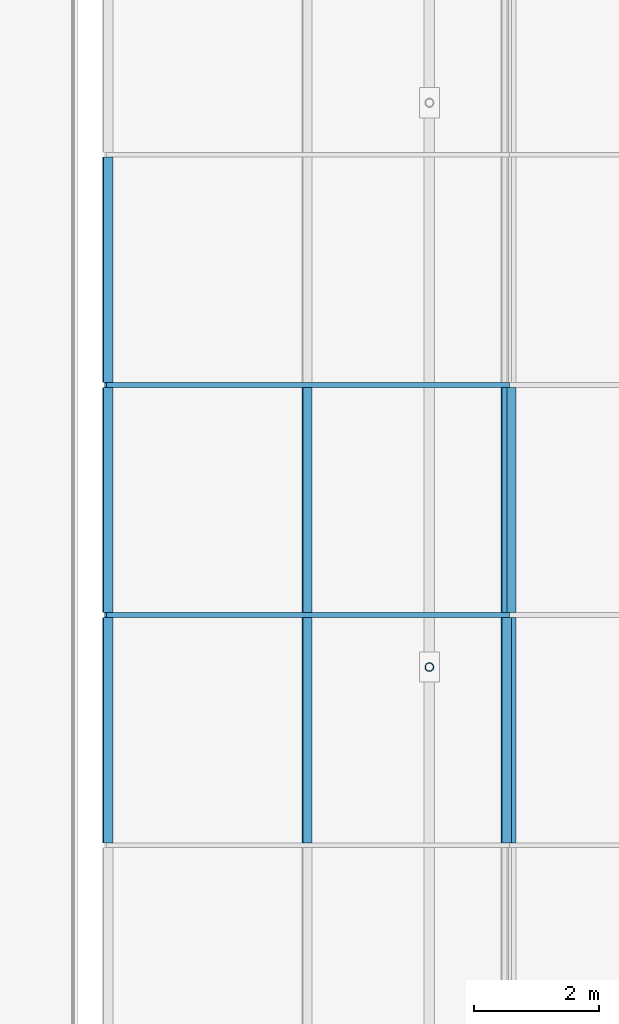
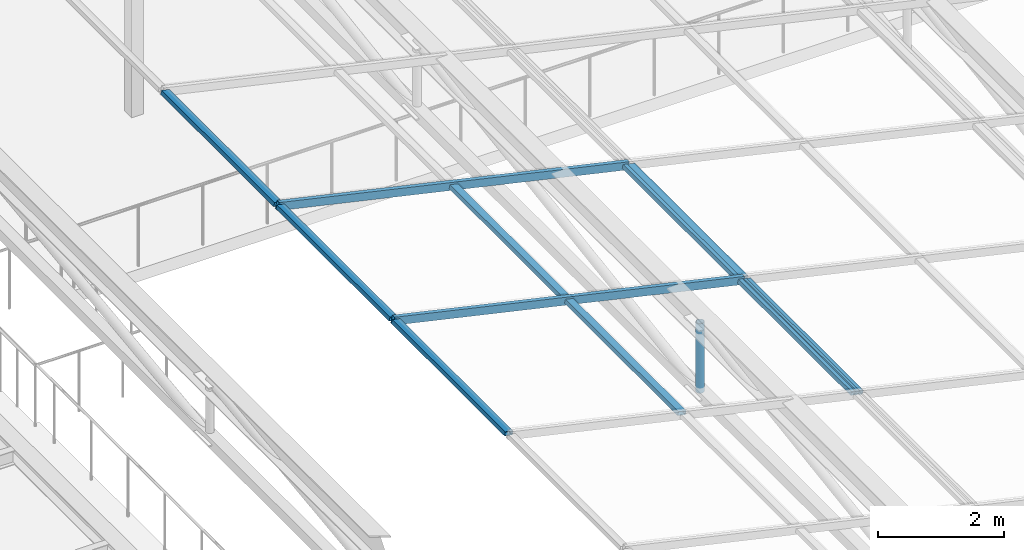
# One storey, part 70 of 130: 12 members, 2 elements without a shape of their own.
"""IFC4 building model written with IfcOpenShell, lengths in metres."""

from ifc_helpers import new_model, si_unit, direction, frame, origin, origin_2d, place, context, subcontext, project, spatial, hollow_rectangle, hollow_circle, extrude, material, material_profile, profile_set, type_object, element, aggregate, save


model = new_model("IFC4")

# Units and contexts
model_context = context("Model", 3, precision=1e-05, world=origin(), true_north=direction((0.0, 1.0)))
body_context = subcontext(model_context, "Body", "Model", "MODEL_VIEW")
ifc_project = project(units=[si_unit("LENGTHUNIT", "METRE"), si_unit("AREAUNIT", "SQUARE_METRE"), si_unit("VOLUMEUNIT", "CUBIC_METRE"), si_unit("PLANEANGLEUNIT", "RADIAN"), si_unit("MASSUNIT", "GRAM", prefix="KILO")], contexts=[model_context])

# Site, building, storey
site_placement = place(None, origin())
site = spatial("IfcSite", under=ifc_project, at=site_placement, CompositionType="ELEMENT")
building_placement = place(site_placement, origin())
building = spatial("IfcBuilding", under=site, at=building_placement, Name="Lykobir Media Centre", CompositionType="ELEMENT")
storey_placement = place(building_placement, frame((0.0, 0.0, 19.199951171875)))
storey = spatial("IfcBuildingStorey", under=building, at=storey_placement, Name="L04", CompositionType="ELEMENT", Elevation=19.199951171875)

# Member
ifc_material_1 = material(Name="Steel S355", Category="steel")
ifc_material_profile_1 = material_profile(ifc_material_1, hollow_circle(Radius=0.06982421875, WallThickness=0.008056640625, at=origin_2d()), Name="CHS 139.7x8.0")
ifc_profile_set_1 = profile_set([ifc_material_profile_1], Name="Steel S355")
member_type_1 = type_object("IfcMemberType", Name="BR-CHS140", PredefinedType="BRACE", material=ifc_profile_set_1)
member_1_placement = place(storey_placement, frame((54.0, 81.0, 6.860107421875), z_axis=(0.0, 0.0, -1.0), x_axis=(1.0, 0.0, 0.0)))
element("IfcMember", 1, at=member_1_placement, inside=storey, type_object=member_type_1, Name="Diagonal brace MEM2-L04-0540-0810-0261-0540-0810-0463", PredefinedType="BRACE", context=body_context, shape_type="SweptSolid", body=[
    extrude(hollow_circle(Radius=0.06982421875, WallThickness=0.008056640625, at=origin_2d()), origin(), (0.0, 0.0, 1.0), 1.35009765625),
])

# Curtain wall, members
ifc_material_2 = material(Name="Anodized Aluminium AW-6060", Category="aluminium")
curtain_wall_type = type_object("IfcCurtainWallType", Name="CW-V6-SKY", PredefinedType="NOTDEFINED", material=ifc_material_2)
curtain_wall_1_placement = place(storey_placement, origin())
curtain_wall_1 = element("IfcCurtainWall", 2, at=curtain_wall_1_placement, inside=storey, type_object=curtain_wall_type, Name="Curtain wall CW-V6-SKY04", PredefinedType="NOTDEFINED")
ifc_material_profile_2 = material_profile(ifc_material_2, hollow_rectangle(XDim=0.074951171875, YDim=0.14990234375, WallThickness=0.00341796875, at=origin_2d()), Name="ALU TRANSOM 75x150")
ifc_profile_set_2 = profile_set([ifc_material_profile_2], Name="Anodized Aluminium AW-6060")
member_type_2 = type_object("IfcMemberType", Name="CWT-150", PredefinedType="USERDEFINED", material=ifc_profile_set_2)
member_2_placement = place(storey_placement, frame((55.300048828125, 85.46240234375, 6.721923828125), z_axis=(0.0, -1.0, 0.0), x_axis=(0.221071923309, 0.0, 0.975257506879)))
member_2 = element("IfcMember", 3, at=member_2_placement, type_object=member_type_2, Name="CW-V6-SKY04 transom 7.3", ObjectType="TRANSOM", PredefinedType="USERDEFINED", context=body_context, shape_type="SweptSolid", body=[
    extrude(hollow_rectangle(XDim=0.074951171875, YDim=0.14990234375, WallThickness=0.00341796875, at=origin_2d()), origin(), (0.0, 0.0, 1.0), 3.594970703125),
])
member_3_placement = place(storey_placement, frame((55.300048828125, 81.79248046875, 6.721923828125), z_axis=(0.0, -1.0, 0.0), x_axis=(0.221071923309, 0.0, 0.975257506879)))
member_3 = element("IfcMember", 4, at=member_3_placement, type_object=member_type_2, Name="CW-V6-SKY04 transom 8.3", ObjectType="TRANSOM", PredefinedType="USERDEFINED", context=body_context, shape_type="SweptSolid", body=[
    extrude(hollow_rectangle(XDim=0.074951171875, YDim=0.14990234375, WallThickness=0.00341796875, at=origin_2d()), origin(), (0.0, 0.0, 1.0), 3.594970703125),
])
aggregate(curtain_wall_1, [member_2, member_3])

curtain_wall_2_placement = place(storey_placement, origin())
curtain_wall_2 = element("IfcCurtainWall", 5, at=curtain_wall_2_placement, inside=storey, type_object=curtain_wall_type, Name="Curtain wall CW-V6-SKY05", PredefinedType="NOTDEFINED")
member_4_placement = place(storey_placement, frame((55.263427734375, 85.5, 6.730224609375), z_axis=(-0.97526330388, 0.0, 0.221046348318), x_axis=(0.0, -1.0, 0.0)))
member_4 = element("IfcMember", 6, at=member_4_placement, type_object=member_type_2, Name="CW-V6-SKY05 rafter transom 7", ObjectType="TRANSOM", PredefinedType="USERDEFINED", context=body_context, shape_type="SweptSolid", body=[
    extrude(hollow_rectangle(XDim=0.074951171875, YDim=0.14990234375, WallThickness=0.00341796875, at=origin_2d()), origin(), (0.0, 0.0, 1.0), 6.591552734375),
])
member_5_placement = place(storey_placement, frame((55.263427734375, 81.830078125, 6.730224609375), z_axis=(-0.97526330388, 0.0, 0.221046348318), x_axis=(0.0, -1.0, 0.0)))
member_5 = element("IfcMember", 7, at=member_5_placement, type_object=member_type_2, Name="CW-V6-SKY05 rafter transom 8", ObjectType="TRANSOM", PredefinedType="USERDEFINED", context=body_context, shape_type="SweptSolid", body=[
    extrude(hollow_rectangle(XDim=0.074951171875, YDim=0.14990234375, WallThickness=0.00341796875, at=origin_2d()), origin(), (0.0, 0.0, 1.0), 6.591552734375),
])
member_6_placement = place(storey_placement, frame((48.871337890625, 89.132568359375, 8.178955078125), z_axis=(0.0, -1.0, 0.0), x_axis=(0.221054901821, 0.0, 0.975261365164)))
member_6 = element("IfcMember", 8, at=member_6_placement, type_object=member_type_2, Name="CW-V6-SKY05 transom 6.3", ObjectType="TRANSOM", PredefinedType="USERDEFINED", context=body_context, shape_type="SweptSolid", body=[
    extrude(hollow_rectangle(XDim=0.074951171875, YDim=0.14990234375, WallThickness=0.00341796875, at=origin_2d()), origin(), (0.0, 0.0, 1.0), 3.594970703125),
])
member_7_placement = place(storey_placement, frame((55.226806640625, 85.46240234375, 6.738525390625), z_axis=(0.0, -1.0, 0.0), x_axis=(0.221054901821, 0.0, 0.975261365164)))
member_7 = element("IfcMember", 9, at=member_7_placement, type_object=member_type_2, Name="CW-V6-SKY05 transom 7.1", ObjectType="TRANSOM", PredefinedType="USERDEFINED", context=body_context, shape_type="SweptSolid", body=[
    extrude(hollow_rectangle(XDim=0.074951171875, YDim=0.14990234375, WallThickness=0.00341796875, at=origin_2d()), origin(), (0.0, 0.0, 1.0), 3.594970703125),
])
member_8_placement = place(storey_placement, frame((52.049072265625, 85.46240234375, 7.458740234375), z_axis=(0.0, -1.0, 0.0), x_axis=(0.221054901821, 0.0, 0.975261365164)))
member_8 = element("IfcMember", 10, at=member_8_placement, type_object=member_type_2, Name="CW-V6-SKY05 transom 7.2", ObjectType="TRANSOM", PredefinedType="USERDEFINED", context=body_context, shape_type="SweptSolid", body=[
    extrude(hollow_rectangle(XDim=0.074951171875, YDim=0.14990234375, WallThickness=0.00341796875, at=origin_2d()), origin(), (0.0, 0.0, 1.0), 3.594970703125),
])
member_9_placement = place(storey_placement, frame((48.871337890625, 85.46240234375, 8.178955078125), z_axis=(0.0, -1.0, 0.0), x_axis=(0.221054901821, 0.0, 0.975261365164)))
member_9 = element("IfcMember", 11, at=member_9_placement, type_object=member_type_2, Name="CW-V6-SKY05 transom 7.3", ObjectType="TRANSOM", PredefinedType="USERDEFINED", context=body_context, shape_type="SweptSolid", body=[
    extrude(hollow_rectangle(XDim=0.074951171875, YDim=0.14990234375, WallThickness=0.00341796875, at=origin_2d()), origin(), (0.0, 0.0, 1.0), 3.594970703125),
])
member_10_placement = place(storey_placement, frame((55.226806640625, 81.79248046875, 6.738525390625), z_axis=(0.0, -1.0, 0.0), x_axis=(0.221054901821, 0.0, 0.975261365164)))
member_10 = element("IfcMember", 12, at=member_10_placement, type_object=member_type_2, Name="CW-V6-SKY05 transom 8.1", ObjectType="TRANSOM", PredefinedType="USERDEFINED", context=body_context, shape_type="SweptSolid", body=[
    extrude(hollow_rectangle(XDim=0.074951171875, YDim=0.14990234375, WallThickness=0.00341796875, at=origin_2d()), origin(), (0.0, 0.0, 1.0), 3.594970703125),
])
member_11_placement = place(storey_placement, frame((52.049072265625, 81.79248046875, 7.458740234375), z_axis=(0.0, -1.0, 0.0), x_axis=(0.221054901821, 0.0, 0.975261365164)))
member_11 = element("IfcMember", 13, at=member_11_placement, type_object=member_type_2, Name="CW-V6-SKY05 transom 8.2", ObjectType="TRANSOM", PredefinedType="USERDEFINED", context=body_context, shape_type="SweptSolid", body=[
    extrude(hollow_rectangle(XDim=0.074951171875, YDim=0.14990234375, WallThickness=0.00341796875, at=origin_2d()), origin(), (0.0, 0.0, 1.0), 3.594970703125),
])
member_12_placement = place(storey_placement, frame((48.871337890625, 81.79248046875, 8.178955078125), z_axis=(0.0, -1.0, 0.0), x_axis=(0.221054901821, 0.0, 0.975261365164)))
member_12 = element("IfcMember", 14, at=member_12_placement, type_object=member_type_2, Name="CW-V6-SKY05 transom 8.3", ObjectType="TRANSOM", PredefinedType="USERDEFINED", context=body_context, shape_type="SweptSolid", body=[
    extrude(hollow_rectangle(XDim=0.074951171875, YDim=0.14990234375, WallThickness=0.00341796875, at=origin_2d()), origin(), (0.0, 0.0, 1.0), 3.594970703125),
])
aggregate(curtain_wall_2, [member_4, member_5, member_6, member_7, member_8, member_9, member_10, member_11, member_12])

save(model, "model.ifc")
